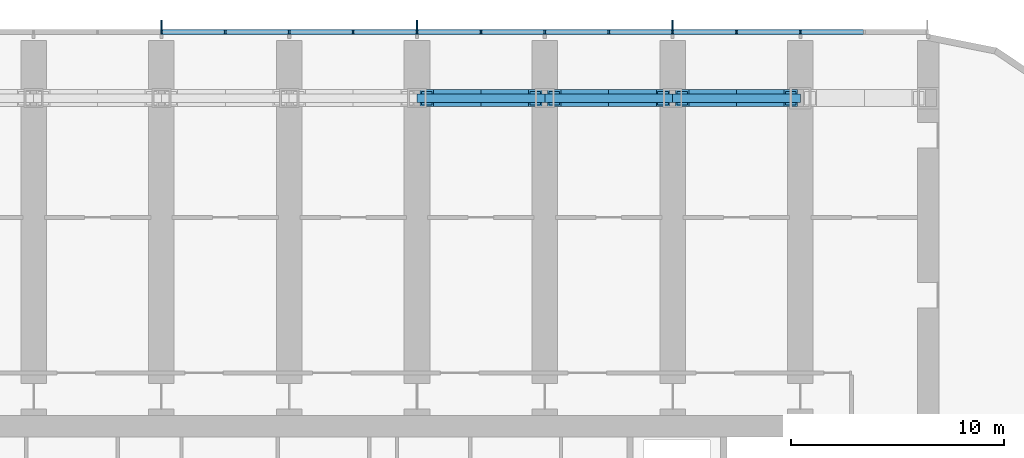
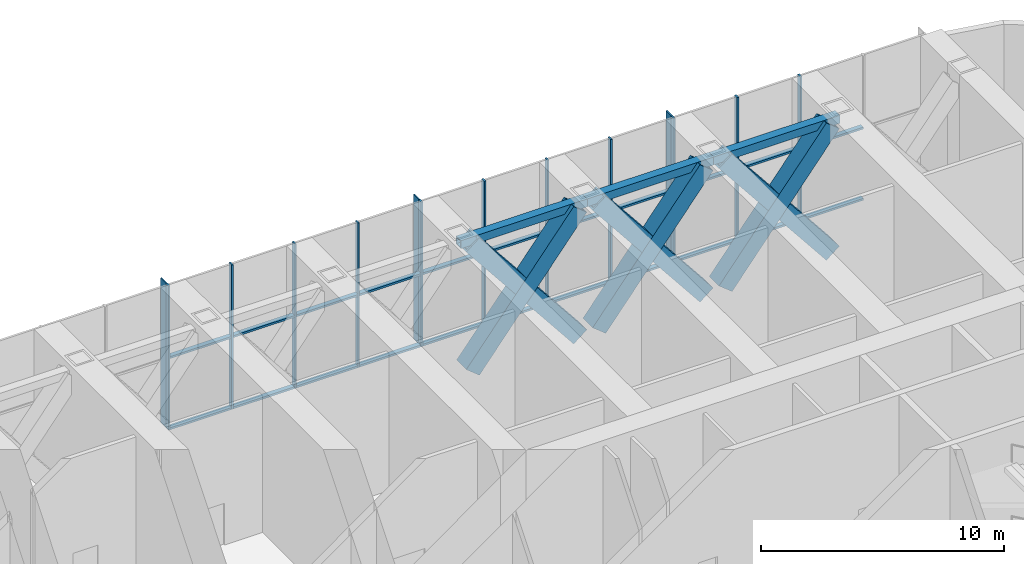
# One storey, part 5 of 24: 42 members, 3 beams, 1 element without a shape of its own.
"""IFC4 building model written with IfcOpenShell, lengths in metres."""

import ifcopenshell
import ifcopenshell.guid

model = None  # the IFC model being written
_history = None  # IfcOwnerHistory: only IFC2X3 demands one
_inside = {}  # id of a spatial element -> (the spatial element, [elements in it])
_under = {}  # id of a project, library or spatial element -> (it, [spatial elements below it])
_declared = {}  # id of a project -> (the project, [libraries it declares])
_typed = {}  # id of a type object -> (the type object, [elements of that type])
_made_of = {}  # id of a material, layer set ... -> (it, [elements and type objects made of it])


def new_model(schema):
    """Start an empty IFC model of exactly this schema.

    Asked for "IFC4X3", IfcOpenShell would pick the latest addendum, in which some entities
    have other attributes; the version numbers below select the first issue.
    IFC2X3 requires an IfcOwnerHistory on every rooted entity: one is made here for all.
    """
    global model, _history
    if schema == "IFC4X3":
        model = ifcopenshell.file(schema_version=(4, 3, 0, 0))
    else:
        model = ifcopenshell.file(schema=schema)
    _inside.clear()
    _under.clear()
    _declared.clear()
    _typed.clear()
    _made_of.clear()
    _history = None
    if model.schema == "IFC2X3":
        org = make("IfcOrganization", Name="unknown")
        user = make(
            "IfcPersonAndOrganization",
            ThePerson=make("IfcPerson", FamilyName="unknown"),
            TheOrganization=org,
        )
        app = make(
            "IfcApplication",
            ApplicationDeveloper=org,
            Version="unknown",
            ApplicationFullName="unknown",
            ApplicationIdentifier="unknown",
        )
        _history = make(
            "IfcOwnerHistory",
            OwningUser=user,
            OwningApplication=app,
            ChangeAction="ADDED",
            CreationDate=0,
        )
    return model


def make(cls, **values):
    """One entity of the class cls with the attributes given. An attribute that is None is left unset."""
    return model.create_entity(
        cls, **{name: value for name, value in values.items() if value is not None}
    )


def rooted(cls, **values):
    """An entity with a GlobalId (a new one), such as an element, a storey or a relation."""
    return make(cls, GlobalId=ifcopenshell.guid.new(), OwnerHistory=_history, **values)


def si_unit(unit_type, name, prefix=None):
    """IfcSIUnit, for example si_unit("LENGTHUNIT", "METRE", prefix="MILLI")."""
    return make("IfcSIUnit", UnitType=unit_type, Prefix=prefix, Name=name)


def assignment(units):
    """IfcUnitAssignment: the units of a project."""
    return None if units is None else make("IfcUnitAssignment", Units=units)


def point(xyz):
    """IfcCartesianPoint."""
    return None if xyz is None else make("IfcCartesianPoint", Coordinates=xyz)


def direction(xyz):
    """IfcDirection."""
    return None if xyz is None else make("IfcDirection", DirectionRatios=xyz)


def frame(location, z_axis=None, x_axis=None):
    """IfcAxis2Placement3D, a coordinate frame: its origin and axes. An axis left out is left unset."""
    return make(
        "IfcAxis2Placement3D",
        Location=point(location),
        Axis=direction(z_axis),
        RefDirection=direction(x_axis),
    )


def frame_2d(location, x_axis=None):
    """IfcAxis2Placement2D, a coordinate frame in the plane: its origin and x axis."""
    return make(
        "IfcAxis2Placement2D", Location=point(location), RefDirection=direction(x_axis)
    )


def origin():
    """The frame at (0, 0, 0) with its axes left unset."""
    return frame((0.0, 0.0, 0.0))


def origin_2d():
    """The frame at (0, 0) in the plane with its x axis left unset."""
    return frame_2d((0.0, 0.0))


def place(relative_to, where):
    """IfcLocalPlacement: puts the frame where relative to a parent placement (None: the world)."""
    return make(
        "IfcLocalPlacement", PlacementRelTo=relative_to, RelativePlacement=where
    )


def context(
    kind, dimensions, precision=None, world=None, true_north=None, identifier=None
):
    """IfcGeometricRepresentationContext, for example the 3D "Model" context."""
    return make(
        "IfcGeometricRepresentationContext",
        ContextIdentifier=identifier,
        ContextType=kind,
        CoordinateSpaceDimension=dimensions,
        Precision=precision,
        WorldCoordinateSystem=world,
        TrueNorth=true_north,
    )


def subcontext(parent, identifier, kind, view, scale=None):
    """IfcGeometricRepresentationSubContext, for example "Body" below "Model"."""
    return make(
        "IfcGeometricRepresentationSubContext",
        ContextIdentifier=identifier,
        ContextType=kind,
        ParentContext=parent,
        TargetScale=scale,
        TargetView=view,
    )


def project(units=None, contexts=None):
    """IfcProject with its units and contexts."""
    return rooted(
        "IfcProject",
        Name="project",
        RepresentationContexts=contexts,
        UnitsInContext=assignment(units),
    )


def spatial(cls, under=None, at=None, **own):
    """A site, building, storey or space (cls), placed at a placement, below another one or the project."""
    s = rooted(cls, ObjectPlacement=at, **own)
    if under is not None:
        _under.setdefault(under.id(), (under, []))[1].append(s)
    return s


def profile(cls, at=None, kind="AREA", **sizes):
    """A parametric profile (cls). Its sizes go by their IFC names, for example OverallWidth=200.0."""
    return make(cls, ProfileType=kind, Position=at, **sizes)


def rectangle(**sizes):
    """IfcRectangleProfileDef."""
    return profile("IfcRectangleProfileDef", **sizes)


def hollow_rectangle(**sizes):
    """IfcRectangleHollowProfileDef."""
    return profile("IfcRectangleHollowProfileDef", **sizes)


def extrude(swept, where, along, depth):
    """IfcExtrudedAreaSolid: the profile swept, set in the frame where, extruded along a direction by depth."""
    return make(
        "IfcExtrudedAreaSolid",
        SweptArea=swept,
        Position=where,
        ExtrudedDirection=direction(along),
        Depth=depth,
    )


def shape(context_of_items, identifier, shape_type, items):
    """IfcShapeRepresentation: the items that make up one representation, for example the "Body"."""
    return make(
        "IfcShapeRepresentation",
        ContextOfItems=context_of_items,
        RepresentationIdentifier=identifier,
        RepresentationType=shape_type,
        Items=items,
    )


def material(Name=None, Category=None):
    """IfcMaterial."""
    return make("IfcMaterial", Name=Name, Category=Category)


def material_profile(
    of_material, cross_section, Name=None, Category=None, Priority=None
):
    """IfcMaterialProfile: a cross section and its material."""
    return make(
        "IfcMaterialProfile",
        Name=Name,
        Material=of_material,
        Profile=cross_section,
        Priority=Priority,
        Category=Category,
    )


def profile_set(profiles, Name=None, composite=None):
    """IfcMaterialProfileSet."""
    return make(
        "IfcMaterialProfileSet",
        Name=Name,
        MaterialProfiles=profiles,
        CompositeProfile=composite,
    )


def made_of(thing, what):
    """Note that an element or type object is made of a material, layer set ...; save() writes the relation."""
    if what is not None:
        _made_of.setdefault(what.id(), (what, []))[1].append(thing)
    return thing


def type_object(cls, material=None, **own):
    """A type object (cls), such as IfcWallType, which elements share."""
    return made_of(rooted(cls, **own), material)


def element(
    cls,
    number,
    at=None,
    inside=None,
    cuts=None,
    type_object=None,
    material=None,
    context=None,
    identifier="Body",
    shape_type=None,
    held_by="IfcProductDefinitionShape",
    body=None,
    shapes=None,
    **own,
):
    """One element of the class cls, such as IfcWall. Its Tag is "e" and its number.

    at: its placement. inside: the storey or other place that contains it. cuts: it is an
    opening in that element (IfcRelVoidsElement). A single representation is given by context,
    identifier, shape_type and body (its items); several are given by shapes. held_by: the class
    of the entity that holds the representations. save() writes the other relations.
    """
    e = rooted(cls, Tag="e%d" % number, ObjectPlacement=at, **own)
    if body is not None:
        shapes = [shape(context, identifier, shape_type, body)]
    if shapes is not None:
        e.Representation = make(held_by, Representations=shapes)
    if inside is not None:
        _inside.setdefault(inside.id(), (inside, []))[1].append(e)
    if cuts is not None:
        rooted(
            "IfcRelVoidsElement", RelatingBuildingElement=cuts, RelatedOpeningElement=e
        )
    if type_object is not None:
        _typed.setdefault(type_object.id(), (type_object, []))[1].append(e)
    return made_of(e, material)


def aggregate(whole, parts):
    """IfcRelAggregates: a whole, such as a stair, and the parts it consists of."""
    return rooted("IfcRelAggregates", RelatingObject=whole, RelatedObjects=parts)


def save(model, path):
    """Write the relations noted so far, then the file.

    IfcRelAggregates (storeys below a building ...), IfcRelContainedInSpatialStructure (elements
    in a storey), IfcRelDefinesByType, IfcRelAssociatesMaterial and IfcRelDeclares: one each for
    every whole, place, type object, material and project.
    """
    for whole, parts in _under.values():
        aggregate(whole, parts)
    for where, things in _inside.values():
        rooted(
            "IfcRelContainedInSpatialStructure",
            RelatedElements=things,
            RelatingStructure=where,
        )
    for kind, things in _typed.values():
        rooted("IfcRelDefinesByType", RelatedObjects=things, RelatingType=kind)
    for what, things in _made_of.values():
        rooted("IfcRelAssociatesMaterial", RelatedObjects=things, RelatingMaterial=what)
    for by, libraries in _declared.values():
        rooted("IfcRelDeclares", RelatingContext=by, RelatedDefinitions=libraries)
    model.write(path)


model = new_model("IFC4")

# Units and contexts
model_context = context("Model", 3, precision=1e-05, world=origin(), true_north=direction((0.0, 1.0)))
body_context = subcontext(model_context, "Body", "Model", "MODEL_VIEW")
ifc_project = project(units=[si_unit("LENGTHUNIT", "METRE"), si_unit("AREAUNIT", "SQUARE_METRE"), si_unit("VOLUMEUNIT", "CUBIC_METRE"), si_unit("PLANEANGLEUNIT", "RADIAN"), si_unit("MASSUNIT", "GRAM", prefix="KILO")], contexts=[model_context])

# Site, building, storey
site_placement = place(None, origin())
site = spatial("IfcSite", under=ifc_project, at=site_placement, CompositionType="ELEMENT")
building_placement = place(site_placement, origin())
building = spatial("IfcBuilding", under=site, at=building_placement, Name="Orbita Commons", CompositionType="ELEMENT")
storey_placement = place(building_placement, frame((0.0, 0.0, 68.949951171875)))
storey = spatial("IfcBuildingStorey", under=building, at=storey_placement, Name="L17", CompositionType="ELEMENT", Elevation=68.949951171875)

# Members
ifc_material_1 = material(Name="Steel ASTM A572 Gr 50 welded plate", Category="steel")
ifc_material_profile_1 = material_profile(ifc_material_1, hollow_rectangle(XDim=0.800048828125, YDim=0.800048828125, WallThickness=0.080078125, at=origin_2d()), Name="BOX 800x800x80")
ifc_profile_set_1 = profile_set([ifc_material_profile_1], Name="Steel ASTM A572 Gr 50 welded plate")
member_type_1 = type_object("IfcMemberType", Name="Belt truss diagonal BOX 800x800x80", PredefinedType="BRACE", material=ifc_profile_set_1)
for number, where, z_axis, x_axis, name in (
    (1, (48.449951171875, 53.60009765625, 0.25), (0.623202279578, 0.0, 0.782060687369), (0.0, 1.0, 0.0), "Belt truss diagonal E 9-10 rising L17"),
    (2, (48.449951171875, 53.60009765625, 6.650146484375), (0.623202279578, 0.0, -0.782060687369), (0.0, 1.0, 0.0), "Belt truss diagonal E 9-10 falling L17"),
    (3, (54.449951171875, 53.60009765625, 0.25), (0.623202279578, 0.0, 0.782060687369), (0.0, 1.0, 0.0), "Belt truss diagonal E 10-11 rising L17"),
    (4, (54.449951171875, 53.60009765625, 6.650146484375), (0.623202279578, 0.0, -0.782060687369), (0.0, 1.0, 0.0), "Belt truss diagonal E 10-11 falling L17"),
    (5, (60.449951171875, 53.60009765625, 0.25), (0.623202279578, 0.0, 0.782060687369), (0.0, 1.0, 0.0), "Belt truss diagonal E 11-12 rising L17"),
    (6, (60.449951171875, 53.60009765625, 6.650146484375), (0.623202279578, 0.0, -0.782060687369), (0.0, 1.0, 0.0), "Belt truss diagonal E 11-12 falling L17"),
):
    element("IfcMember", number, at=place(storey_placement, frame(where, z_axis=z_axis, x_axis=x_axis)), inside=storey, type_object=member_type_1, Name=name, PredefinedType="BRACE", context=body_context, shape_type="SweptSolid", body=[
        extrude(hollow_rectangle(XDim=0.800048828125, YDim=0.800048828125, WallThickness=0.080078125, at=origin_2d()), origin(), (0.0, 0.0, 1.0), 8.18359375),
    ])

# Curtain wall, members
ifc_material_2 = material(Name="Anodised aluminium frame, pale silver", Category="aluminium")
curtain_wall_type = type_object("IfcCurtainWallType", Name="Louvred curtain wall CW-V", PredefinedType="NOTDEFINED", material=ifc_material_2)
curtain_wall_placement = place(storey_placement, origin())
curtain_wall = element("IfcCurtainWall", 7, at=curtain_wall_placement, inside=storey, type_object=curtain_wall_type, Name="Curtain wall north L17", PredefinedType="NOTDEFINED")
ifc_material_3 = material(Name="Anodised aluminium, pale silver", Category="aluminium")
ifc_material_profile_2 = material_profile(ifc_material_3, rectangle(XDim=0.080078125, YDim=0.219970703125, at=origin_2d()), Name="AL 80x220")
ifc_profile_set_2 = profile_set([ifc_material_profile_2], Name="Anodised aluminium, pale silver")
member_type_2 = type_object("IfcMemberType", Name="Curtain wall mullion 80x220", PredefinedType="MULLION", material=ifc_profile_set_2)
member_1_placement = place(storey_placement, frame((66.0, 56.7099609375, -0.349853515625), z_axis=(0.0, 0.0, 1.0), x_axis=(-1.0, 0.0, 0.0)))
member_1 = element("IfcMember", 8, at=member_1_placement, type_object=member_type_2, Name="Mullion 3 CW-L17-N", PredefinedType="MULLION", context=body_context, shape_type="SweptSolid", body=[
    extrude(rectangle(XDim=0.080078125, YDim=0.219970703125, at=origin_2d()), origin(), (0.0, 0.0, 1.0), 7.25),
])
member_2_placement = place(storey_placement, frame((63.0, 56.7099609375, -0.349853515625), z_axis=(0.0, 0.0, 1.0), x_axis=(-1.0, 0.0, 0.0)))
member_2 = element("IfcMember", 9, at=member_2_placement, type_object=member_type_2, Name="Mullion 4 CW-L17-N", PredefinedType="MULLION", context=body_context, shape_type="SweptSolid", body=[
    extrude(rectangle(XDim=0.080078125, YDim=0.219970703125, at=origin_2d()), origin(), (0.0, 0.0, 1.0), 7.25),
])
member_3_placement = place(storey_placement, frame((60.0, 56.7099609375, -0.349853515625), z_axis=(0.0, 0.0, 1.0), x_axis=(-1.0, 0.0, 0.0)))
member_3 = element("IfcMember", 10, at=member_3_placement, type_object=member_type_2, Name="Mullion 5 CW-L17-N", PredefinedType="MULLION", context=body_context, shape_type="SweptSolid", body=[
    extrude(rectangle(XDim=0.080078125, YDim=0.219970703125, at=origin_2d()), origin(), (0.0, 0.0, 1.0), 7.25),
])
member_4_placement = place(storey_placement, frame((57.0, 56.7099609375, -0.349853515625), z_axis=(0.0, 0.0, 1.0), x_axis=(-1.0, 0.0, 0.0)))
member_4 = element("IfcMember", 11, at=member_4_placement, type_object=member_type_2, Name="Mullion 6 CW-L17-N", PredefinedType="MULLION", context=body_context, shape_type="SweptSolid", body=[
    extrude(rectangle(XDim=0.080078125, YDim=0.219970703125, at=origin_2d()), origin(), (0.0, 0.0, 1.0), 7.25),
])
member_5_placement = place(storey_placement, frame((54.0, 56.7099609375, -0.349853515625), z_axis=(0.0, 0.0, 1.0), x_axis=(-1.0, 0.0, 0.0)))
member_5 = element("IfcMember", 12, at=member_5_placement, type_object=member_type_2, Name="Mullion 7 CW-L17-N", PredefinedType="MULLION", context=body_context, shape_type="SweptSolid", body=[
    extrude(rectangle(XDim=0.080078125, YDim=0.219970703125, at=origin_2d()), origin(), (0.0, 0.0, 1.0), 7.25),
])
member_6_placement = place(storey_placement, frame((51.0, 56.7099609375, -0.349853515625), z_axis=(0.0, 0.0, 1.0), x_axis=(-1.0, 0.0, 0.0)))
member_6 = element("IfcMember", 13, at=member_6_placement, type_object=member_type_2, Name="Mullion 8 CW-L17-N", PredefinedType="MULLION", context=body_context, shape_type="SweptSolid", body=[
    extrude(rectangle(XDim=0.080078125, YDim=0.219970703125, at=origin_2d()), origin(), (0.0, 0.0, 1.0), 7.25),
])
member_7_placement = place(storey_placement, frame((48.0, 56.7099609375, -0.349853515625), z_axis=(0.0, 0.0, 1.0), x_axis=(-1.0, 0.0, 0.0)))
member_7 = element("IfcMember", 14, at=member_7_placement, type_object=member_type_2, Name="Mullion 9 CW-L17-N", PredefinedType="MULLION", context=body_context, shape_type="SweptSolid", body=[
    extrude(rectangle(XDim=0.080078125, YDim=0.219970703125, at=origin_2d()), origin(), (0.0, 0.0, 1.0), 7.25),
])
member_8_placement = place(storey_placement, frame((45.0, 56.7099609375, -0.349853515625), z_axis=(0.0, 0.0, 1.0), x_axis=(-1.0, 0.0, 0.0)))
member_8 = element("IfcMember", 15, at=member_8_placement, type_object=member_type_2, Name="Mullion 10 CW-L17-N", PredefinedType="MULLION", context=body_context, shape_type="SweptSolid", body=[
    extrude(rectangle(XDim=0.080078125, YDim=0.219970703125, at=origin_2d()), origin(), (0.0, 0.0, 1.0), 7.25),
])
member_9_placement = place(storey_placement, frame((42.0, 56.7099609375, -0.349853515625), z_axis=(0.0, 0.0, 1.0), x_axis=(-1.0, 0.0, 0.0)))
member_9 = element("IfcMember", 16, at=member_9_placement, type_object=member_type_2, Name="Mullion 11 CW-L17-N", PredefinedType="MULLION", context=body_context, shape_type="SweptSolid", body=[
    extrude(rectangle(XDim=0.080078125, YDim=0.219970703125, at=origin_2d()), origin(), (0.0, 0.0, 1.0), 7.25),
])
member_10_placement = place(storey_placement, frame((39.0, 56.7099609375, -0.349853515625), z_axis=(0.0, 0.0, 1.0), x_axis=(-1.0, 0.0, 0.0)))
member_10 = element("IfcMember", 17, at=member_10_placement, type_object=member_type_2, Name="Mullion 12 CW-L17-N", PredefinedType="MULLION", context=body_context, shape_type="SweptSolid", body=[
    extrude(rectangle(XDim=0.080078125, YDim=0.219970703125, at=origin_2d()), origin(), (0.0, 0.0, 1.0), 7.25),
])
member_11_placement = place(storey_placement, frame((36.0, 56.7099609375, -0.349853515625), z_axis=(0.0, 0.0, 1.0), x_axis=(-1.0, 0.0, 0.0)))
member_11 = element("IfcMember", 18, at=member_11_placement, type_object=member_type_2, Name="Mullion 13 CW-L17-N", PredefinedType="MULLION", context=body_context, shape_type="SweptSolid", body=[
    extrude(rectangle(XDim=0.080078125, YDim=0.219970703125, at=origin_2d()), origin(), (0.0, 0.0, 1.0), 7.25),
])
ifc_material_4 = material(Name="Anodised aluminium, pale silver", Category="aluminium")
ifc_material_profile_3 = material_profile(ifc_material_4, rectangle(XDim=0.219970703125, YDim=0.10009765625, at=origin_2d()), Name="AL 220x100")
ifc_profile_set_3 = profile_set([ifc_material_profile_3], Name="Anodised aluminium, pale silver")
member_type_3 = type_object("IfcMemberType", Name="Curtain wall stack transom 220x100", PredefinedType="USERDEFINED", material=ifc_profile_set_3)
member_12_placement = place(storey_placement, frame((68.9599609375, 56.7099609375, -0.300048828125), z_axis=(-1.0, 0.0, 0.0), x_axis=(0.0, -1.0, 0.0)))
member_12 = element("IfcMember", 19, at=member_12_placement, type_object=member_type_3, Name="Transom 2.1 CW-L17-N", ObjectType="TRANSOM", PredefinedType="USERDEFINED", context=body_context, shape_type="SweptSolid", body=[
    extrude(rectangle(XDim=0.219970703125, YDim=0.10009765625, at=origin_2d()), origin(), (0.0, 0.0, 1.0), 2.919921875),
])
member_13_placement = place(storey_placement, frame((68.9599609375, 56.7099609375, 3.275146484375), z_axis=(-1.0, 0.0, 0.0), x_axis=(0.0, -1.0, 0.0)))
member_13 = element("IfcMember", 20, at=member_13_placement, type_object=member_type_3, Name="Transom 2.2 CW-L17-N", ObjectType="TRANSOM", PredefinedType="USERDEFINED", context=body_context, shape_type="SweptSolid", body=[
    extrude(rectangle(XDim=0.219970703125, YDim=0.10009765625, at=origin_2d()), origin(), (0.0, 0.0, 1.0), 2.919921875),
])
member_14_placement = place(storey_placement, frame((65.9599609375, 56.7099609375, -0.300048828125), z_axis=(-1.0, 0.0, 0.0), x_axis=(0.0, -1.0, 0.0)))
member_14 = element("IfcMember", 21, at=member_14_placement, type_object=member_type_3, Name="Transom 3.1 CW-L17-N", ObjectType="TRANSOM", PredefinedType="USERDEFINED", context=body_context, shape_type="SweptSolid", body=[
    extrude(rectangle(XDim=0.219970703125, YDim=0.10009765625, at=origin_2d()), origin(), (0.0, 0.0, 1.0), 2.919921875),
])
member_15_placement = place(storey_placement, frame((65.9599609375, 56.7099609375, 3.275146484375), z_axis=(-1.0, 0.0, 0.0), x_axis=(0.0, -1.0, 0.0)))
member_15 = element("IfcMember", 22, at=member_15_placement, type_object=member_type_3, Name="Transom 3.2 CW-L17-N", ObjectType="TRANSOM", PredefinedType="USERDEFINED", context=body_context, shape_type="SweptSolid", body=[
    extrude(rectangle(XDim=0.219970703125, YDim=0.10009765625, at=origin_2d()), origin(), (0.0, 0.0, 1.0), 2.919921875),
])
member_16_placement = place(storey_placement, frame((62.9599609375, 56.7099609375, -0.300048828125), z_axis=(-1.0, 0.0, 0.0), x_axis=(0.0, -1.0, 0.0)))
member_16 = element("IfcMember", 23, at=member_16_placement, type_object=member_type_3, Name="Transom 4.1 CW-L17-N", ObjectType="TRANSOM", PredefinedType="USERDEFINED", context=body_context, shape_type="SweptSolid", body=[
    extrude(rectangle(XDim=0.219970703125, YDim=0.10009765625, at=origin_2d()), origin(), (0.0, 0.0, 1.0), 2.919921875),
])
member_17_placement = place(storey_placement, frame((62.9599609375, 56.7099609375, 3.275146484375), z_axis=(-1.0, 0.0, 0.0), x_axis=(0.0, -1.0, 0.0)))
member_17 = element("IfcMember", 24, at=member_17_placement, type_object=member_type_3, Name="Transom 4.2 CW-L17-N", ObjectType="TRANSOM", PredefinedType="USERDEFINED", context=body_context, shape_type="SweptSolid", body=[
    extrude(rectangle(XDim=0.219970703125, YDim=0.10009765625, at=origin_2d()), origin(), (0.0, 0.0, 1.0), 2.919921875),
])
member_18_placement = place(storey_placement, frame((59.9599609375, 56.7099609375, -0.300048828125), z_axis=(-1.0, 0.0, 0.0), x_axis=(0.0, -1.0, 0.0)))
member_18 = element("IfcMember", 25, at=member_18_placement, type_object=member_type_3, Name="Transom 5.1 CW-L17-N", ObjectType="TRANSOM", PredefinedType="USERDEFINED", context=body_context, shape_type="SweptSolid", body=[
    extrude(rectangle(XDim=0.219970703125, YDim=0.10009765625, at=origin_2d()), origin(), (0.0, 0.0, 1.0), 2.919921875),
])
member_19_placement = place(storey_placement, frame((59.9599609375, 56.7099609375, 3.275146484375), z_axis=(-1.0, 0.0, 0.0), x_axis=(0.0, -1.0, 0.0)))
member_19 = element("IfcMember", 26, at=member_19_placement, type_object=member_type_3, Name="Transom 5.2 CW-L17-N", ObjectType="TRANSOM", PredefinedType="USERDEFINED", context=body_context, shape_type="SweptSolid", body=[
    extrude(rectangle(XDim=0.219970703125, YDim=0.10009765625, at=origin_2d()), origin(), (0.0, 0.0, 1.0), 2.919921875),
])
member_20_placement = place(storey_placement, frame((56.9599609375, 56.7099609375, -0.300048828125), z_axis=(-1.0, 0.0, 0.0), x_axis=(0.0, -1.0, 0.0)))
member_20 = element("IfcMember", 27, at=member_20_placement, type_object=member_type_3, Name="Transom 6.1 CW-L17-N", ObjectType="TRANSOM", PredefinedType="USERDEFINED", context=body_context, shape_type="SweptSolid", body=[
    extrude(rectangle(XDim=0.219970703125, YDim=0.10009765625, at=origin_2d()), origin(), (0.0, 0.0, 1.0), 2.919921875),
])
member_21_placement = place(storey_placement, frame((56.9599609375, 56.7099609375, 3.275146484375), z_axis=(-1.0, 0.0, 0.0), x_axis=(0.0, -1.0, 0.0)))
member_21 = element("IfcMember", 28, at=member_21_placement, type_object=member_type_3, Name="Transom 6.2 CW-L17-N", ObjectType="TRANSOM", PredefinedType="USERDEFINED", context=body_context, shape_type="SweptSolid", body=[
    extrude(rectangle(XDim=0.219970703125, YDim=0.10009765625, at=origin_2d()), origin(), (0.0, 0.0, 1.0), 2.919921875),
])
member_22_placement = place(storey_placement, frame((53.9599609375, 56.7099609375, -0.300048828125), z_axis=(-1.0, 0.0, 0.0), x_axis=(0.0, -1.0, 0.0)))
member_22 = element("IfcMember", 29, at=member_22_placement, type_object=member_type_3, Name="Transom 7.1 CW-L17-N", ObjectType="TRANSOM", PredefinedType="USERDEFINED", context=body_context, shape_type="SweptSolid", body=[
    extrude(rectangle(XDim=0.219970703125, YDim=0.10009765625, at=origin_2d()), origin(), (0.0, 0.0, 1.0), 2.919921875),
])
member_23_placement = place(storey_placement, frame((53.9599609375, 56.7099609375, 3.275146484375), z_axis=(-1.0, 0.0, 0.0), x_axis=(0.0, -1.0, 0.0)))
member_23 = element("IfcMember", 30, at=member_23_placement, type_object=member_type_3, Name="Transom 7.2 CW-L17-N", ObjectType="TRANSOM", PredefinedType="USERDEFINED", context=body_context, shape_type="SweptSolid", body=[
    extrude(rectangle(XDim=0.219970703125, YDim=0.10009765625, at=origin_2d()), origin(), (0.0, 0.0, 1.0), 2.919921875),
])
member_24_placement = place(storey_placement, frame((50.9599609375, 56.7099609375, -0.300048828125), z_axis=(-1.0, 0.0, 0.0), x_axis=(0.0, -1.0, 0.0)))
member_24 = element("IfcMember", 31, at=member_24_placement, type_object=member_type_3, Name="Transom 8.1 CW-L17-N", ObjectType="TRANSOM", PredefinedType="USERDEFINED", context=body_context, shape_type="SweptSolid", body=[
    extrude(rectangle(XDim=0.219970703125, YDim=0.10009765625, at=origin_2d()), origin(), (0.0, 0.0, 1.0), 2.919921875),
])
member_25_placement = place(storey_placement, frame((50.9599609375, 56.7099609375, 3.275146484375), z_axis=(-1.0, 0.0, 0.0), x_axis=(0.0, -1.0, 0.0)))
member_25 = element("IfcMember", 32, at=member_25_placement, type_object=member_type_3, Name="Transom 8.2 CW-L17-N", ObjectType="TRANSOM", PredefinedType="USERDEFINED", context=body_context, shape_type="SweptSolid", body=[
    extrude(rectangle(XDim=0.219970703125, YDim=0.10009765625, at=origin_2d()), origin(), (0.0, 0.0, 1.0), 2.919921875),
])
member_26_placement = place(storey_placement, frame((47.9599609375, 56.7099609375, -0.300048828125), z_axis=(-1.0, 0.0, 0.0), x_axis=(0.0, -1.0, 0.0)))
member_26 = element("IfcMember", 33, at=member_26_placement, type_object=member_type_3, Name="Transom 9.1 CW-L17-N", ObjectType="TRANSOM", PredefinedType="USERDEFINED", context=body_context, shape_type="SweptSolid", body=[
    extrude(rectangle(XDim=0.219970703125, YDim=0.10009765625, at=origin_2d()), origin(), (0.0, 0.0, 1.0), 2.919921875),
])
member_27_placement = place(storey_placement, frame((47.9599609375, 56.7099609375, 3.275146484375), z_axis=(-1.0, 0.0, 0.0), x_axis=(0.0, -1.0, 0.0)))
member_27 = element("IfcMember", 34, at=member_27_placement, type_object=member_type_3, Name="Transom 9.2 CW-L17-N", ObjectType="TRANSOM", PredefinedType="USERDEFINED", context=body_context, shape_type="SweptSolid", body=[
    extrude(rectangle(XDim=0.219970703125, YDim=0.10009765625, at=origin_2d()), origin(), (0.0, 0.0, 1.0), 2.919921875),
])
member_28_placement = place(storey_placement, frame((44.9599609375, 56.7099609375, -0.300048828125), z_axis=(-1.0, 0.0, 0.0), x_axis=(0.0, -1.0, 0.0)))
member_28 = element("IfcMember", 35, at=member_28_placement, type_object=member_type_3, Name="Transom 10.1 CW-L17-N", ObjectType="TRANSOM", PredefinedType="USERDEFINED", context=body_context, shape_type="SweptSolid", body=[
    extrude(rectangle(XDim=0.219970703125, YDim=0.10009765625, at=origin_2d()), origin(), (0.0, 0.0, 1.0), 2.919921875),
])
member_29_placement = place(storey_placement, frame((44.9599609375, 56.7099609375, 3.275146484375), z_axis=(-1.0, 0.0, 0.0), x_axis=(0.0, -1.0, 0.0)))
member_29 = element("IfcMember", 36, at=member_29_placement, type_object=member_type_3, Name="Transom 10.2 CW-L17-N", ObjectType="TRANSOM", PredefinedType="USERDEFINED", context=body_context, shape_type="SweptSolid", body=[
    extrude(rectangle(XDim=0.219970703125, YDim=0.10009765625, at=origin_2d()), origin(), (0.0, 0.0, 1.0), 2.919921875),
])
member_30_placement = place(storey_placement, frame((41.9599609375, 56.7099609375, -0.300048828125), z_axis=(-1.0, 0.0, 0.0), x_axis=(0.0, -1.0, 0.0)))
member_30 = element("IfcMember", 37, at=member_30_placement, type_object=member_type_3, Name="Transom 11.1 CW-L17-N", ObjectType="TRANSOM", PredefinedType="USERDEFINED", context=body_context, shape_type="SweptSolid", body=[
    extrude(rectangle(XDim=0.219970703125, YDim=0.10009765625, at=origin_2d()), origin(), (0.0, 0.0, 1.0), 2.919921875),
])
member_31_placement = place(storey_placement, frame((41.9599609375, 56.7099609375, 3.275146484375), z_axis=(-1.0, 0.0, 0.0), x_axis=(0.0, -1.0, 0.0)))
member_31 = element("IfcMember", 38, at=member_31_placement, type_object=member_type_3, Name="Transom 11.2 CW-L17-N", ObjectType="TRANSOM", PredefinedType="USERDEFINED", context=body_context, shape_type="SweptSolid", body=[
    extrude(rectangle(XDim=0.219970703125, YDim=0.10009765625, at=origin_2d()), origin(), (0.0, 0.0, 1.0), 2.919921875),
])
member_32_placement = place(storey_placement, frame((38.9599609375, 56.7099609375, -0.300048828125), z_axis=(-1.0, 0.0, 0.0), x_axis=(0.0, -1.0, 0.0)))
member_32 = element("IfcMember", 39, at=member_32_placement, type_object=member_type_3, Name="Transom 12.1 CW-L17-N", ObjectType="TRANSOM", PredefinedType="USERDEFINED", context=body_context, shape_type="SweptSolid", body=[
    extrude(rectangle(XDim=0.219970703125, YDim=0.10009765625, at=origin_2d()), origin(), (0.0, 0.0, 1.0), 2.919921875),
])
member_33_placement = place(storey_placement, frame((38.9599609375, 56.7099609375, 3.275146484375), z_axis=(-1.0, 0.0, 0.0), x_axis=(0.0, -1.0, 0.0)))
member_33 = element("IfcMember", 40, at=member_33_placement, type_object=member_type_3, Name="Transom 12.2 CW-L17-N", ObjectType="TRANSOM", PredefinedType="USERDEFINED", context=body_context, shape_type="SweptSolid", body=[
    extrude(rectangle(XDim=0.219970703125, YDim=0.10009765625, at=origin_2d()), origin(), (0.0, 0.0, 1.0), 2.919921875),
])

# Beams
ifc_material_5 = material(Name="Steel ASTM A572 Gr 50 welded plate", Category="steel")
ifc_material_profile_4 = material_profile(ifc_material_5, hollow_rectangle(XDim=0.39990234375, YDim=0.39990234375, WallThickness=0.0400390625, at=origin_2d()), Name="BOX 400x400x40")
ifc_profile_set_4 = profile_set([ifc_material_profile_4], Name="Steel ASTM A572 Gr 50 welded plate")
beam_type = type_object("IfcBeamType", Name="Steel spandrel BOX 400x400x40", PredefinedType="SPANDREL", material=ifc_profile_set_4)
for number, where, z_axis, x_axis, name in (
    (41, (48.0, 53.60009765625, 6.699951171875), (1.0, 0.0, 0.0), (0.0, 1.0, 0.0), "Spandrel beam E 9-10 L17"),
    (42, (54.0, 53.60009765625, 6.699951171875), (1.0, 0.0, 0.0), (0.0, 1.0, 0.0), "Spandrel beam E 10-11 L17"),
    (43, (60.0, 53.60009765625, 6.699951171875), (1.0, 0.0, 0.0), (0.0, 1.0, 0.0), "Spandrel beam E 11-12 L17"),
):
    element("IfcBeam", number, at=place(storey_placement, frame(where, z_axis=z_axis, x_axis=x_axis)), inside=storey, type_object=beam_type, Name=name, PredefinedType="SPANDREL", context=body_context, shape_type="SweptSolid", body=[
        extrude(hollow_rectangle(XDim=0.39990234375, YDim=0.39990234375, WallThickness=0.0400390625, at=origin_2d()), origin(), (0.0, 0.0, 1.0), 6.0),
    ])

# Member
ifc_material_6 = material(Name="Anodised aluminium, pale silver", Category="aluminium")
ifc_material_profile_5 = material_profile(ifc_material_6, rectangle(XDim=0.06005859375, YDim=0.449951171875, at=origin_2d()), Name="FIN 60x450")
ifc_profile_set_5 = profile_set([ifc_material_profile_5], Name="Anodised aluminium, pale silver")
member_type_4 = type_object("IfcMemberType", Name="Vertical fin 60x450 pale aluminium", PredefinedType="USERDEFINED", material=ifc_profile_set_5)
member_34_placement = place(storey_placement, frame((60.0, 57.044921875, -0.349853515625), z_axis=(0.0, 0.0, 1.0), x_axis=(-1.0, 0.0, 0.0)))
member_34 = element("IfcMember", 44, at=member_34_placement, type_object=member_type_4, Name="Fin 5 CW-L17-N", ObjectType="FIN", PredefinedType="USERDEFINED", context=body_context, shape_type="SweptSolid", body=[
    extrude(rectangle(XDim=0.06005859375, YDim=0.449951171875, at=origin_2d()), origin(), (0.0, 0.0, 1.0), 7.25),
])

member_35_placement = place(storey_placement, frame((48.0, 57.044921875, -0.349853515625), z_axis=(0.0, 0.0, 1.0), x_axis=(-1.0, 0.0, 0.0)))
member_35 = element("IfcMember", 45, at=member_35_placement, type_object=member_type_4, Name="Fin 9 CW-L17-N", ObjectType="FIN", PredefinedType="USERDEFINED", context=body_context, shape_type="SweptSolid", body=[
    extrude(rectangle(XDim=0.06005859375, YDim=0.449951171875, at=origin_2d()), origin(), (0.0, 0.0, 1.0), 7.25),
])

member_36_placement = place(storey_placement, frame((36.0, 57.044921875, -0.349853515625), z_axis=(0.0, 0.0, 1.0), x_axis=(-1.0, 0.0, 0.0)))
member_36 = element("IfcMember", 46, at=member_36_placement, type_object=member_type_4, Name="Fin 13 CW-L17-N", ObjectType="FIN", PredefinedType="USERDEFINED", context=body_context, shape_type="SweptSolid", body=[
    extrude(rectangle(XDim=0.06005859375, YDim=0.449951171875, at=origin_2d()), origin(), (0.0, 0.0, 1.0), 7.25),
])

aggregate(curtain_wall, [member_1, member_2, member_3, member_34, member_4, member_5, member_6, member_7, member_35, member_8, member_9, member_10, member_11, member_36, member_12, member_13, member_14, member_15, member_16, member_17, member_18, member_19, member_20, member_21, member_22, member_23, member_24, member_25, member_26, member_27, member_28, member_29, member_30, member_31, member_32, member_33])

save(model, "model.ifc")
